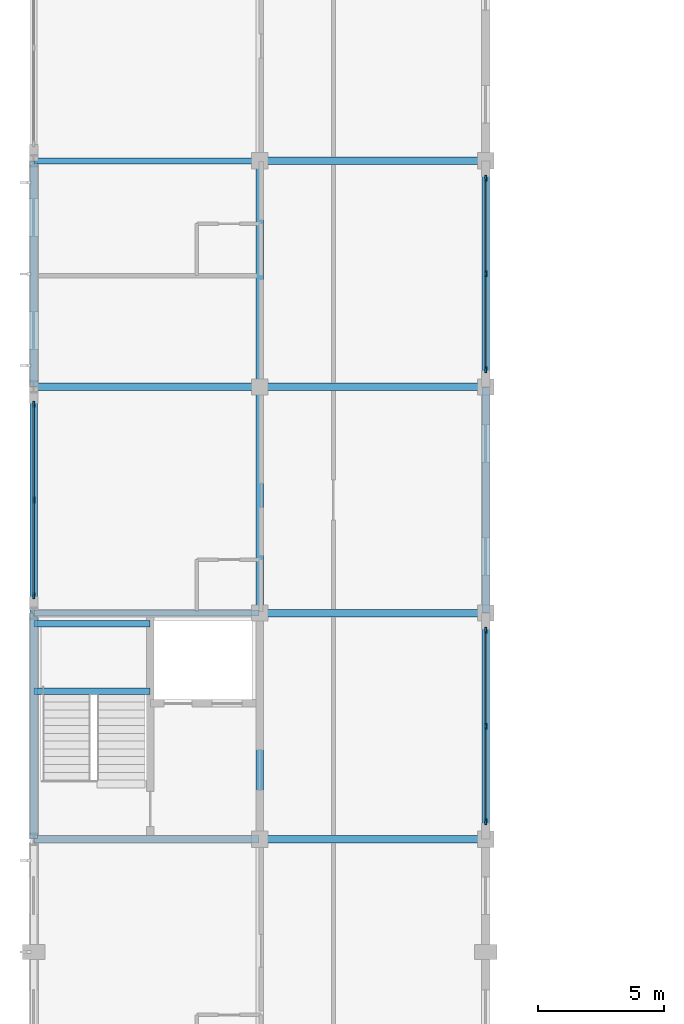
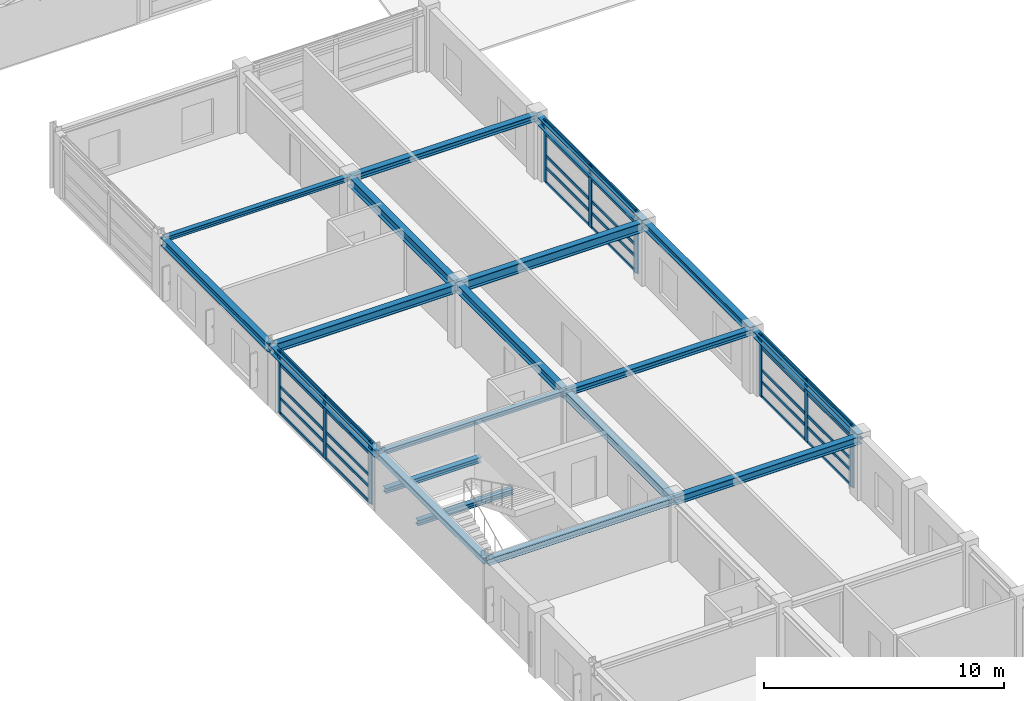
# One storey, part 18 of 91: 39 members, 19 beams, 3 elements without a shape of their own.
"""IFC4 building model written with IfcOpenShell, lengths in metres."""

from ifc_helpers import new_model, si_unit, direction, frame, origin, origin_2d, place, context, subcontext, project, spatial, rectangle, i_section, extrude, material, material_profile, profile_set, type_object, element, aggregate, save


model = new_model("IFC4")

# Units and contexts
model_context = context("Model", 3, precision=1e-05, world=origin(), true_north=direction((0.0, 1.0)))
body_context = subcontext(model_context, "Body", "Model", "MODEL_VIEW")
ifc_project = project(units=[si_unit("LENGTHUNIT", "METRE"), si_unit("AREAUNIT", "SQUARE_METRE"), si_unit("VOLUMEUNIT", "CUBIC_METRE"), si_unit("PLANEANGLEUNIT", "RADIAN"), si_unit("MASSUNIT", "GRAM", prefix="KILO")], contexts=[model_context])

# Site, building, storey
site_placement = place(None, origin())
site = spatial("IfcSite", under=ifc_project, at=site_placement, CompositionType="ELEMENT")
building_placement = place(site_placement, origin())
building = spatial("IfcBuilding", under=site, at=building_placement, Name="Palais des Congres Ocreval", CompositionType="ELEMENT")
storey_placement = place(building_placement, frame((0.0, 0.0, 8.159912109375)))
storey = spatial("IfcBuildingStorey", under=building, at=storey_placement, Name="L02", CompositionType="ELEMENT", Elevation=8.159912109375)

# Curtain wall, members
ifc_material_1 = material(Name="Anodized bronze aluminium and low-E glass", Category="glass")
curtain_wall_type = type_object("IfcCurtainWallType", Name="Unitised Curtain Wall 7900x3120", PredefinedType="USERDEFINED", material=ifc_material_1)
curtain_wall_1_placement = place(storey_placement, origin())
curtain_wall_1 = element("IfcCurtainWall", 1, at=curtain_wall_1_placement, inside=storey, type_object=curtain_wall_type, Name="Unitised Curtain Wall CW03 L02", ObjectType="UNITISED CURTAIN WALL", PredefinedType="USERDEFINED")
ifc_material_2 = material(Name="Anodized bronze aluminium", Category="aluminium")
ifc_material_profile_1 = material_profile(ifc_material_2, rectangle(XDim=0.074951171875, YDim=0.239990234375, at=origin_2d()), Name="ALU 75x240")
ifc_profile_set_1 = profile_set([ifc_material_profile_1], Name="Anodized bronze aluminium")
member_type_1 = type_object("IfcMemberType", Name="Curtain Wall Mullion ALU 75x240", PredefinedType="MULLION", material=ifc_profile_set_1)
member_1_placement = place(storey_placement, frame((0.0, 45.6875, 0.0), z_axis=(0.0, 0.0, 1.0), x_axis=(-1.0, 0.0, 0.0)))
member_1 = element("IfcMember", 2, at=member_1_placement, type_object=member_type_1, Name="Curtain Wall Mullion ML01", PredefinedType="MULLION", context=body_context, shape_type="SweptSolid", body=[
    extrude(rectangle(XDim=0.074951171875, YDim=0.239990234375, at=origin_2d()), origin(), (0.0, 0.0, 1.0), 3.14013671875),
])
member_2_placement = place(storey_placement, frame((0.0, 49.5, 0.0), z_axis=(0.0, 0.0, 1.0), x_axis=(-1.0, 0.0, 0.0)))
member_2 = element("IfcMember", 3, at=member_2_placement, type_object=member_type_1, Name="Curtain Wall Mullion ML01", PredefinedType="MULLION", context=body_context, shape_type="SweptSolid", body=[
    extrude(rectangle(XDim=0.074951171875, YDim=0.239990234375, at=origin_2d()), origin(), (0.0, 0.0, 1.0), 3.14013671875),
])
member_3_placement = place(storey_placement, frame((0.0, 53.3125, 0.0), z_axis=(0.0, 0.0, 1.0), x_axis=(-1.0, 0.0, 0.0)))
member_3 = element("IfcMember", 4, at=member_3_placement, type_object=member_type_1, Name="Curtain Wall Mullion ML01", PredefinedType="MULLION", context=body_context, shape_type="SweptSolid", body=[
    extrude(rectangle(XDim=0.074951171875, YDim=0.239990234375, at=origin_2d()), origin(), (0.0, 0.0, 1.0), 3.14013671875),
])

curtain_wall_2_placement = place(storey_placement, origin())
curtain_wall_2 = element("IfcCurtainWall", 5, at=curtain_wall_2_placement, inside=storey, type_object=curtain_wall_type, Name="Unitised Curtain Wall CW03 L02", ObjectType="UNITISED CURTAIN WALL", PredefinedType="USERDEFINED")
member_4_placement = place(storey_placement, frame((18.0, 62.3125, 0.0), z_axis=(0.0, 0.0, 1.0), x_axis=(1.0, 0.0, 0.0)))
member_4 = element("IfcMember", 6, at=member_4_placement, type_object=member_type_1, Name="Curtain Wall Mullion ML01", PredefinedType="MULLION", context=body_context, shape_type="SweptSolid", body=[
    extrude(rectangle(XDim=0.074951171875, YDim=0.239990234375, at=origin_2d()), origin(), (0.0, 0.0, 1.0), 3.14013671875),
])
member_5_placement = place(storey_placement, frame((18.0, 58.5, 0.0), z_axis=(0.0, 0.0, 1.0), x_axis=(1.0, 0.0, 0.0)))
member_5 = element("IfcMember", 7, at=member_5_placement, type_object=member_type_1, Name="Curtain Wall Mullion ML01", PredefinedType="MULLION", context=body_context, shape_type="SweptSolid", body=[
    extrude(rectangle(XDim=0.074951171875, YDim=0.239990234375, at=origin_2d()), origin(), (0.0, 0.0, 1.0), 3.14013671875),
])
member_6_placement = place(storey_placement, frame((18.0, 54.6875, 0.0), z_axis=(0.0, 0.0, 1.0), x_axis=(1.0, 0.0, 0.0)))
member_6 = element("IfcMember", 8, at=member_6_placement, type_object=member_type_1, Name="Curtain Wall Mullion ML01", PredefinedType="MULLION", context=body_context, shape_type="SweptSolid", body=[
    extrude(rectangle(XDim=0.074951171875, YDim=0.239990234375, at=origin_2d()), origin(), (0.0, 0.0, 1.0), 3.14013671875),
])

curtain_wall_3_placement = place(storey_placement, origin())
curtain_wall_3 = element("IfcCurtainWall", 9, at=curtain_wall_3_placement, inside=storey, type_object=curtain_wall_type, Name="Unitised Curtain Wall CW03 L02", ObjectType="UNITISED CURTAIN WALL", PredefinedType="USERDEFINED")
member_7_placement = place(storey_placement, frame((18.0, 44.3125, 0.0), z_axis=(0.0, 0.0, 1.0), x_axis=(1.0, 0.0, 0.0)))
member_7 = element("IfcMember", 10, at=member_7_placement, type_object=member_type_1, Name="Curtain Wall Mullion ML01", PredefinedType="MULLION", context=body_context, shape_type="SweptSolid", body=[
    extrude(rectangle(XDim=0.074951171875, YDim=0.239990234375, at=origin_2d()), origin(), (0.0, 0.0, 1.0), 3.14013671875),
])
member_8_placement = place(storey_placement, frame((18.0, 40.5, 0.0), z_axis=(0.0, 0.0, 1.0), x_axis=(1.0, 0.0, 0.0)))
member_8 = element("IfcMember", 11, at=member_8_placement, type_object=member_type_1, Name="Curtain Wall Mullion ML01", PredefinedType="MULLION", context=body_context, shape_type="SweptSolid", body=[
    extrude(rectangle(XDim=0.074951171875, YDim=0.239990234375, at=origin_2d()), origin(), (0.0, 0.0, 1.0), 3.14013671875),
])
member_9_placement = place(storey_placement, frame((18.0, 36.6875, 0.0), z_axis=(0.0, 0.0, 1.0), x_axis=(1.0, 0.0, 0.0)))
member_9 = element("IfcMember", 12, at=member_9_placement, type_object=member_type_1, Name="Curtain Wall Mullion ML01", PredefinedType="MULLION", context=body_context, shape_type="SweptSolid", body=[
    extrude(rectangle(XDim=0.074951171875, YDim=0.239990234375, at=origin_2d()), origin(), (0.0, 0.0, 1.0), 3.14013671875),
])

# Member
ifc_material_profile_2 = material_profile(ifc_material_2, rectangle(XDim=0.06005859375, YDim=0.14990234375, at=origin_2d()), Name="ALU 60x150")
ifc_profile_set_2 = profile_set([ifc_material_profile_2], Name="Anodized bronze aluminium")
member_type_2 = type_object("IfcMemberType", Name="Curtain Wall Transom ALU 60x150", PredefinedType="USERDEFINED", material=ifc_profile_set_2)
member_10_placement = place(storey_placement, frame((0.0, 45.72509765625, 0.030029296875), z_axis=(0.0, 1.0, 0.0), x_axis=(-1.0, 0.0, 0.0)))
member_10 = element("IfcMember", 13, at=member_10_placement, type_object=member_type_2, Name="Curtain Wall Transom TR01", ObjectType="TRANSOM", PredefinedType="USERDEFINED", context=body_context, shape_type="SweptSolid", body=[
    extrude(rectangle(XDim=0.06005859375, YDim=0.14990234375, at=origin_2d()), origin(), (0.0, 0.0, 1.0), 3.7373046875),
])

member_11_placement = place(storey_placement, frame((0.0, 45.72509765625, 0.780029296875), z_axis=(0.0, 1.0, 0.0), x_axis=(-1.0, 0.0, 0.0)))
member_11 = element("IfcMember", 14, at=member_11_placement, type_object=member_type_2, Name="Curtain Wall Transom TR01", ObjectType="TRANSOM", PredefinedType="USERDEFINED", context=body_context, shape_type="SweptSolid", body=[
    extrude(rectangle(XDim=0.06005859375, YDim=0.14990234375, at=origin_2d()), origin(), (0.0, 0.0, 1.0), 3.7373046875),
])

member_12_placement = place(storey_placement, frame((0.0, 45.72509765625, 1.36962890625), z_axis=(0.0, 1.0, 0.0), x_axis=(-1.0, 0.0, 0.0)))
member_12 = element("IfcMember", 15, at=member_12_placement, type_object=member_type_2, Name="Curtain Wall Transom TR01", ObjectType="TRANSOM", PredefinedType="USERDEFINED", context=body_context, shape_type="SweptSolid", body=[
    extrude(rectangle(XDim=0.06005859375, YDim=0.14990234375, at=origin_2d()), origin(), (0.0, 0.0, 1.0), 3.7373046875),
])

member_13_placement = place(storey_placement, frame((0.0, 45.72509765625, 2.489990234375), z_axis=(0.0, 1.0, 0.0), x_axis=(-1.0, 0.0, 0.0)))
member_13 = element("IfcMember", 16, at=member_13_placement, type_object=member_type_2, Name="Curtain Wall Transom TR01", ObjectType="TRANSOM", PredefinedType="USERDEFINED", context=body_context, shape_type="SweptSolid", body=[
    extrude(rectangle(XDim=0.06005859375, YDim=0.14990234375, at=origin_2d()), origin(), (0.0, 0.0, 1.0), 3.7373046875),
])

member_14_placement = place(storey_placement, frame((0.0, 45.72509765625, 3.110107421875), z_axis=(0.0, 1.0, 0.0), x_axis=(-1.0, 0.0, 0.0)))
member_14 = element("IfcMember", 17, at=member_14_placement, type_object=member_type_2, Name="Curtain Wall Transom TR01", ObjectType="TRANSOM", PredefinedType="USERDEFINED", context=body_context, shape_type="SweptSolid", body=[
    extrude(rectangle(XDim=0.06005859375, YDim=0.14990234375, at=origin_2d()), origin(), (0.0, 0.0, 1.0), 3.7373046875),
])

member_15_placement = place(storey_placement, frame((0.0, 49.53759765625, 0.030029296875), z_axis=(0.0, 1.0, 0.0), x_axis=(-1.0, 0.0, 0.0)))
member_15 = element("IfcMember", 18, at=member_15_placement, type_object=member_type_2, Name="Curtain Wall Transom TR01", ObjectType="TRANSOM", PredefinedType="USERDEFINED", context=body_context, shape_type="SweptSolid", body=[
    extrude(rectangle(XDim=0.06005859375, YDim=0.14990234375, at=origin_2d()), origin(), (0.0, 0.0, 1.0), 3.7373046875),
])

member_16_placement = place(storey_placement, frame((0.0, 49.53759765625, 0.780029296875), z_axis=(0.0, 1.0, 0.0), x_axis=(-1.0, 0.0, 0.0)))
member_16 = element("IfcMember", 19, at=member_16_placement, type_object=member_type_2, Name="Curtain Wall Transom TR01", ObjectType="TRANSOM", PredefinedType="USERDEFINED", context=body_context, shape_type="SweptSolid", body=[
    extrude(rectangle(XDim=0.06005859375, YDim=0.14990234375, at=origin_2d()), origin(), (0.0, 0.0, 1.0), 3.7373046875),
])

member_17_placement = place(storey_placement, frame((0.0, 49.53759765625, 1.36962890625), z_axis=(0.0, 1.0, 0.0), x_axis=(-1.0, 0.0, 0.0)))
member_17 = element("IfcMember", 20, at=member_17_placement, type_object=member_type_2, Name="Curtain Wall Transom TR01", ObjectType="TRANSOM", PredefinedType="USERDEFINED", context=body_context, shape_type="SweptSolid", body=[
    extrude(rectangle(XDim=0.06005859375, YDim=0.14990234375, at=origin_2d()), origin(), (0.0, 0.0, 1.0), 3.7373046875),
])

member_18_placement = place(storey_placement, frame((0.0, 49.53759765625, 2.489990234375), z_axis=(0.0, 1.0, 0.0), x_axis=(-1.0, 0.0, 0.0)))
member_18 = element("IfcMember", 21, at=member_18_placement, type_object=member_type_2, Name="Curtain Wall Transom TR01", ObjectType="TRANSOM", PredefinedType="USERDEFINED", context=body_context, shape_type="SweptSolid", body=[
    extrude(rectangle(XDim=0.06005859375, YDim=0.14990234375, at=origin_2d()), origin(), (0.0, 0.0, 1.0), 3.7373046875),
])

member_19_placement = place(storey_placement, frame((0.0, 49.53759765625, 3.110107421875), z_axis=(0.0, 1.0, 0.0), x_axis=(-1.0, 0.0, 0.0)))
member_19 = element("IfcMember", 22, at=member_19_placement, type_object=member_type_2, Name="Curtain Wall Transom TR01", ObjectType="TRANSOM", PredefinedType="USERDEFINED", context=body_context, shape_type="SweptSolid", body=[
    extrude(rectangle(XDim=0.06005859375, YDim=0.14990234375, at=origin_2d()), origin(), (0.0, 0.0, 1.0), 3.7373046875),
])

aggregate(curtain_wall_1, [member_1, member_2, member_3, member_10, member_11, member_12, member_13, member_14, member_15, member_16, member_17, member_18, member_19])

member_20_placement = place(storey_placement, frame((18.0, 62.27490234375, 0.030029296875), z_axis=(0.0, -1.0, 0.0), x_axis=(1.0, 0.0, 0.0)))
member_20 = element("IfcMember", 23, at=member_20_placement, type_object=member_type_2, Name="Curtain Wall Transom TR01", ObjectType="TRANSOM", PredefinedType="USERDEFINED", context=body_context, shape_type="SweptSolid", body=[
    extrude(rectangle(XDim=0.06005859375, YDim=0.14990234375, at=origin_2d()), origin(), (0.0, 0.0, 1.0), 3.7373046875),
])

member_21_placement = place(storey_placement, frame((18.0, 62.27490234375, 0.780029296875), z_axis=(0.0, -1.0, 0.0), x_axis=(1.0, 0.0, 0.0)))
member_21 = element("IfcMember", 24, at=member_21_placement, type_object=member_type_2, Name="Curtain Wall Transom TR01", ObjectType="TRANSOM", PredefinedType="USERDEFINED", context=body_context, shape_type="SweptSolid", body=[
    extrude(rectangle(XDim=0.06005859375, YDim=0.14990234375, at=origin_2d()), origin(), (0.0, 0.0, 1.0), 3.7373046875),
])

member_22_placement = place(storey_placement, frame((18.0, 62.27490234375, 1.36962890625), z_axis=(0.0, -1.0, 0.0), x_axis=(1.0, 0.0, 0.0)))
member_22 = element("IfcMember", 25, at=member_22_placement, type_object=member_type_2, Name="Curtain Wall Transom TR01", ObjectType="TRANSOM", PredefinedType="USERDEFINED", context=body_context, shape_type="SweptSolid", body=[
    extrude(rectangle(XDim=0.06005859375, YDim=0.14990234375, at=origin_2d()), origin(), (0.0, 0.0, 1.0), 3.7373046875),
])

member_23_placement = place(storey_placement, frame((18.0, 62.27490234375, 2.489990234375), z_axis=(0.0, -1.0, 0.0), x_axis=(1.0, 0.0, 0.0)))
member_23 = element("IfcMember", 26, at=member_23_placement, type_object=member_type_2, Name="Curtain Wall Transom TR01", ObjectType="TRANSOM", PredefinedType="USERDEFINED", context=body_context, shape_type="SweptSolid", body=[
    extrude(rectangle(XDim=0.06005859375, YDim=0.14990234375, at=origin_2d()), origin(), (0.0, 0.0, 1.0), 3.7373046875),
])

member_24_placement = place(storey_placement, frame((18.0, 62.27490234375, 3.110107421875), z_axis=(0.0, -1.0, 0.0), x_axis=(1.0, 0.0, 0.0)))
member_24 = element("IfcMember", 27, at=member_24_placement, type_object=member_type_2, Name="Curtain Wall Transom TR01", ObjectType="TRANSOM", PredefinedType="USERDEFINED", context=body_context, shape_type="SweptSolid", body=[
    extrude(rectangle(XDim=0.06005859375, YDim=0.14990234375, at=origin_2d()), origin(), (0.0, 0.0, 1.0), 3.7373046875),
])

member_25_placement = place(storey_placement, frame((18.0, 58.46240234375, 0.030029296875), z_axis=(0.0, -1.0, 0.0), x_axis=(1.0, 0.0, 0.0)))
member_25 = element("IfcMember", 28, at=member_25_placement, type_object=member_type_2, Name="Curtain Wall Transom TR01", ObjectType="TRANSOM", PredefinedType="USERDEFINED", context=body_context, shape_type="SweptSolid", body=[
    extrude(rectangle(XDim=0.06005859375, YDim=0.14990234375, at=origin_2d()), origin(), (0.0, 0.0, 1.0), 3.7373046875),
])

member_26_placement = place(storey_placement, frame((18.0, 58.46240234375, 0.780029296875), z_axis=(0.0, -1.0, 0.0), x_axis=(1.0, 0.0, 0.0)))
member_26 = element("IfcMember", 29, at=member_26_placement, type_object=member_type_2, Name="Curtain Wall Transom TR01", ObjectType="TRANSOM", PredefinedType="USERDEFINED", context=body_context, shape_type="SweptSolid", body=[
    extrude(rectangle(XDim=0.06005859375, YDim=0.14990234375, at=origin_2d()), origin(), (0.0, 0.0, 1.0), 3.7373046875),
])

member_27_placement = place(storey_placement, frame((18.0, 58.46240234375, 1.36962890625), z_axis=(0.0, -1.0, 0.0), x_axis=(1.0, 0.0, 0.0)))
member_27 = element("IfcMember", 30, at=member_27_placement, type_object=member_type_2, Name="Curtain Wall Transom TR01", ObjectType="TRANSOM", PredefinedType="USERDEFINED", context=body_context, shape_type="SweptSolid", body=[
    extrude(rectangle(XDim=0.06005859375, YDim=0.14990234375, at=origin_2d()), origin(), (0.0, 0.0, 1.0), 3.7373046875),
])

member_28_placement = place(storey_placement, frame((18.0, 58.46240234375, 2.489990234375), z_axis=(0.0, -1.0, 0.0), x_axis=(1.0, 0.0, 0.0)))
member_28 = element("IfcMember", 31, at=member_28_placement, type_object=member_type_2, Name="Curtain Wall Transom TR01", ObjectType="TRANSOM", PredefinedType="USERDEFINED", context=body_context, shape_type="SweptSolid", body=[
    extrude(rectangle(XDim=0.06005859375, YDim=0.14990234375, at=origin_2d()), origin(), (0.0, 0.0, 1.0), 3.7373046875),
])

member_29_placement = place(storey_placement, frame((18.0, 58.46240234375, 3.110107421875), z_axis=(0.0, -1.0, 0.0), x_axis=(1.0, 0.0, 0.0)))
member_29 = element("IfcMember", 32, at=member_29_placement, type_object=member_type_2, Name="Curtain Wall Transom TR01", ObjectType="TRANSOM", PredefinedType="USERDEFINED", context=body_context, shape_type="SweptSolid", body=[
    extrude(rectangle(XDim=0.06005859375, YDim=0.14990234375, at=origin_2d()), origin(), (0.0, 0.0, 1.0), 3.7373046875),
])

aggregate(curtain_wall_2, [member_4, member_5, member_6, member_20, member_21, member_22, member_23, member_24, member_25, member_26, member_27, member_28, member_29])

member_30_placement = place(storey_placement, frame((18.0, 44.27490234375, 0.030029296875), z_axis=(0.0, -1.0, 0.0), x_axis=(1.0, 0.0, 0.0)))
member_30 = element("IfcMember", 33, at=member_30_placement, type_object=member_type_2, Name="Curtain Wall Transom TR01", ObjectType="TRANSOM", PredefinedType="USERDEFINED", context=body_context, shape_type="SweptSolid", body=[
    extrude(rectangle(XDim=0.06005859375, YDim=0.14990234375, at=origin_2d()), origin(), (0.0, 0.0, 1.0), 3.7373046875),
])

member_31_placement = place(storey_placement, frame((18.0, 44.27490234375, 0.780029296875), z_axis=(0.0, -1.0, 0.0), x_axis=(1.0, 0.0, 0.0)))
member_31 = element("IfcMember", 34, at=member_31_placement, type_object=member_type_2, Name="Curtain Wall Transom TR01", ObjectType="TRANSOM", PredefinedType="USERDEFINED", context=body_context, shape_type="SweptSolid", body=[
    extrude(rectangle(XDim=0.06005859375, YDim=0.14990234375, at=origin_2d()), origin(), (0.0, 0.0, 1.0), 3.7373046875),
])

member_32_placement = place(storey_placement, frame((18.0, 44.27490234375, 1.36962890625), z_axis=(0.0, -1.0, 0.0), x_axis=(1.0, 0.0, 0.0)))
member_32 = element("IfcMember", 35, at=member_32_placement, type_object=member_type_2, Name="Curtain Wall Transom TR01", ObjectType="TRANSOM", PredefinedType="USERDEFINED", context=body_context, shape_type="SweptSolid", body=[
    extrude(rectangle(XDim=0.06005859375, YDim=0.14990234375, at=origin_2d()), origin(), (0.0, 0.0, 1.0), 3.7373046875),
])

member_33_placement = place(storey_placement, frame((18.0, 44.27490234375, 2.489990234375), z_axis=(0.0, -1.0, 0.0), x_axis=(1.0, 0.0, 0.0)))
member_33 = element("IfcMember", 36, at=member_33_placement, type_object=member_type_2, Name="Curtain Wall Transom TR01", ObjectType="TRANSOM", PredefinedType="USERDEFINED", context=body_context, shape_type="SweptSolid", body=[
    extrude(rectangle(XDim=0.06005859375, YDim=0.14990234375, at=origin_2d()), origin(), (0.0, 0.0, 1.0), 3.7373046875),
])

member_34_placement = place(storey_placement, frame((18.0, 44.27490234375, 3.110107421875), z_axis=(0.0, -1.0, 0.0), x_axis=(1.0, 0.0, 0.0)))
member_34 = element("IfcMember", 37, at=member_34_placement, type_object=member_type_2, Name="Curtain Wall Transom TR01", ObjectType="TRANSOM", PredefinedType="USERDEFINED", context=body_context, shape_type="SweptSolid", body=[
    extrude(rectangle(XDim=0.06005859375, YDim=0.14990234375, at=origin_2d()), origin(), (0.0, 0.0, 1.0), 3.7373046875),
])

member_35_placement = place(storey_placement, frame((18.0, 40.46240234375, 0.030029296875), z_axis=(0.0, -1.0, 0.0), x_axis=(1.0, 0.0, 0.0)))
member_35 = element("IfcMember", 38, at=member_35_placement, type_object=member_type_2, Name="Curtain Wall Transom TR01", ObjectType="TRANSOM", PredefinedType="USERDEFINED", context=body_context, shape_type="SweptSolid", body=[
    extrude(rectangle(XDim=0.06005859375, YDim=0.14990234375, at=origin_2d()), origin(), (0.0, 0.0, 1.0), 3.7373046875),
])

member_36_placement = place(storey_placement, frame((18.0, 40.46240234375, 0.780029296875), z_axis=(0.0, -1.0, 0.0), x_axis=(1.0, 0.0, 0.0)))
member_36 = element("IfcMember", 39, at=member_36_placement, type_object=member_type_2, Name="Curtain Wall Transom TR01", ObjectType="TRANSOM", PredefinedType="USERDEFINED", context=body_context, shape_type="SweptSolid", body=[
    extrude(rectangle(XDim=0.06005859375, YDim=0.14990234375, at=origin_2d()), origin(), (0.0, 0.0, 1.0), 3.7373046875),
])

member_37_placement = place(storey_placement, frame((18.0, 40.46240234375, 1.36962890625), z_axis=(0.0, -1.0, 0.0), x_axis=(1.0, 0.0, 0.0)))
member_37 = element("IfcMember", 40, at=member_37_placement, type_object=member_type_2, Name="Curtain Wall Transom TR01", ObjectType="TRANSOM", PredefinedType="USERDEFINED", context=body_context, shape_type="SweptSolid", body=[
    extrude(rectangle(XDim=0.06005859375, YDim=0.14990234375, at=origin_2d()), origin(), (0.0, 0.0, 1.0), 3.7373046875),
])

member_38_placement = place(storey_placement, frame((18.0, 40.46240234375, 2.489990234375), z_axis=(0.0, -1.0, 0.0), x_axis=(1.0, 0.0, 0.0)))
member_38 = element("IfcMember", 41, at=member_38_placement, type_object=member_type_2, Name="Curtain Wall Transom TR01", ObjectType="TRANSOM", PredefinedType="USERDEFINED", context=body_context, shape_type="SweptSolid", body=[
    extrude(rectangle(XDim=0.06005859375, YDim=0.14990234375, at=origin_2d()), origin(), (0.0, 0.0, 1.0), 3.7373046875),
])

member_39_placement = place(storey_placement, frame((18.0, 40.46240234375, 3.110107421875), z_axis=(0.0, -1.0, 0.0), x_axis=(1.0, 0.0, 0.0)))
member_39 = element("IfcMember", 42, at=member_39_placement, type_object=member_type_2, Name="Curtain Wall Transom TR01", ObjectType="TRANSOM", PredefinedType="USERDEFINED", context=body_context, shape_type="SweptSolid", body=[
    extrude(rectangle(XDim=0.06005859375, YDim=0.14990234375, at=origin_2d()), origin(), (0.0, 0.0, 1.0), 3.7373046875),
])

aggregate(curtain_wall_3, [member_7, member_8, member_9, member_30, member_31, member_32, member_33, member_34, member_35, member_36, member_37, member_38, member_39])

# Beams
ifc_material_3 = material(Name="Steel S355", Category="steel")
ifc_material_profile_3 = material_profile(ifc_material_3, i_section(OverallWidth=0.260009765625, OverallDepth=0.260009765625, WebThickness=0.010009765625, FlangeThickness=0.017578125, at=origin_2d()), Name="HEB 260")
ifc_profile_set_3 = profile_set([ifc_material_profile_3], Name="Steel S355")
beam_type_1 = type_object("IfcBeamType", Name="Opening Lintel HEB 260 Steel S355", PredefinedType="LINTEL", material=ifc_profile_set_3)
for number, where, z_axis, x_axis, name in (
    (43, (0.02001953125, 41.8798828125, 1.35009765625), (1.0, 0.0, 0.0), (0.0, 1.0, 0.0), "Stair Landing Support Beam ST03 L02-1"),
    (44, (0.02001953125, 44.580078125, 1.35009765625), (1.0, 0.0, 0.0), (0.0, 1.0, 0.0), "Stair Landing Support Beam ST03 L02-2"),
):
    element("IfcBeam", number, at=place(storey_placement, frame(where, z_axis=z_axis, x_axis=x_axis)), inside=storey, type_object=beam_type_1, Name=name, PredefinedType="LINTEL", context=body_context, shape_type="SweptSolid", body=[
        extrude(i_section(OverallWidth=0.260009765625, OverallDepth=0.260009765625, WebThickness=0.010009765625, FlangeThickness=0.017578125, at=origin_2d()), origin(), (0.0, 0.0, 1.0), 4.60986328125),
    ])
ifc_material_profile_4 = material_profile(ifc_material_3, i_section(OverallWidth=0.239990234375, OverallDepth=0.22998046875, WebThickness=0.007568359375, FlangeThickness=0.011962890625, at=origin_2d()), Name="HEA 240")
ifc_profile_set_4 = profile_set([ifc_material_profile_4], Name="Steel S355")
beam_type_2 = type_object("IfcBeamType", Name="Perimeter Spandrel HEA 240 Steel S355", PredefinedType="SPANDREL", material=ifc_profile_set_4)
for number, where, z_axis, x_axis, name in (
    (45, (0.02001953125, 45.0, 2.985107421875), (1.0, 0.0, 0.0), (0.0, 1.0, 0.0), "Beam SP01 L02"),
    (46, (0.02001953125, 63.0, 2.985107421875), (1.0, 0.0, 0.0), (0.0, 1.0, 0.0), "Beam SP01 L02"),
):
    element("IfcBeam", number, at=place(storey_placement, frame(where, z_axis=z_axis, x_axis=x_axis)), inside=storey, type_object=beam_type_2, Name=name, PredefinedType="SPANDREL", context=body_context, shape_type="SweptSolid", body=[
        extrude(i_section(OverallWidth=0.239990234375, OverallDepth=0.22998046875, WebThickness=0.007568359375, FlangeThickness=0.011962890625, at=origin_2d()), origin(), (0.0, 0.0, 1.0), 8.9599609375),
    ])
ifc_material_profile_5 = material_profile(ifc_material_3, i_section(OverallWidth=0.300048828125, OverallDepth=0.300048828125, WebThickness=0.010986328125, FlangeThickness=0.01904296875, at=origin_2d()), Name="HEB 300")
ifc_profile_set_5 = profile_set([ifc_material_profile_5], Name="Steel S355")
beam_type_3 = type_object("IfcBeamType", Name="Perimeter Spandrel HEB 300 Steel S355", PredefinedType="SPANDREL", material=ifc_profile_set_5)
for number, where, z_axis, x_axis, name in (
    (47, (0.0, 36.02001953125, 2.9501953125), (0.0, 1.0, 0.0), (-1.0, 0.0, 0.0), "Girder SP02 L02"),
    (48, (9.02001953125, 45.0, 2.9501953125), (1.0, 0.0, 0.0), (0.0, 1.0, 0.0), "Beam SP02 L02"),
    (49, (9.02001953125, 63.0, 2.9501953125), (1.0, 0.0, 0.0), (0.0, 1.0, 0.0), "Beam SP02 L02"),
    (50, (18.0, 36.02001953125, 2.9501953125), (0.0, 1.0, 0.0), (-1.0, 0.0, 0.0), "Girder SP02 L02"),
):
    element("IfcBeam", number, at=place(storey_placement, frame(where, z_axis=z_axis, x_axis=x_axis)), inside=storey, type_object=beam_type_3, Name=name, PredefinedType="SPANDREL", context=body_context, shape_type="SweptSolid", body=[
        extrude(i_section(OverallWidth=0.300048828125, OverallDepth=0.300048828125, WebThickness=0.010986328125, FlangeThickness=0.01904296875, at=origin_2d()), origin(), (0.0, 0.0, 1.0), 8.9599609375),
    ])
ifc_material_profile_6 = material_profile(ifc_material_3, i_section(OverallWidth=0.300048828125, OverallDepth=0.360107421875, WebThickness=0.012451171875, FlangeThickness=0.0224609375, at=origin_2d()), Name="HEB 360")
ifc_profile_set_6 = profile_set([ifc_material_profile_6], Name="Steel S355")
beam_type_4 = type_object("IfcBeamType", Name="Perimeter Spandrel HEB 360 Steel S355", PredefinedType="SPANDREL", material=ifc_profile_set_6)
for number, where, z_axis, x_axis, name in (
    (51, (0.0, 45.02001953125, 2.920166015625), (0.0, 1.0, 0.0), (-1.0, 0.0, 0.0), "Girder SP03 L02"),
    (52, (18.0, 45.02001953125, 2.920166015625), (0.0, 1.0, 0.0), (-1.0, 0.0, 0.0), "Girder SP03 L02"),
):
    element("IfcBeam", number, at=place(storey_placement, frame(where, z_axis=z_axis, x_axis=x_axis)), inside=storey, type_object=beam_type_4, Name=name, PredefinedType="SPANDREL", context=body_context, shape_type="SweptSolid", body=[
        extrude(i_section(OverallWidth=0.300048828125, OverallDepth=0.360107421875, WebThickness=0.012451171875, FlangeThickness=0.0224609375, at=origin_2d()), origin(), (0.0, 0.0, 1.0), 8.9599609375),
    ])
ifc_material_profile_7 = material_profile(ifc_material_3, i_section(OverallWidth=0.300048828125, OverallDepth=0.39990234375, WebThickness=0.013427734375, FlangeThickness=0.02392578125, at=origin_2d()), Name="HEB 400")
ifc_profile_set_7 = profile_set([ifc_material_profile_7], Name="Steel S355")
beam_type_5 = type_object("IfcBeamType", Name="Perimeter Spandrel HEB 400 Steel S355", PredefinedType="SPANDREL", material=ifc_profile_set_7)
for number, where, z_axis, x_axis, name in (
    (53, (0.0, 54.02001953125, 2.900146484375), (0.0, 1.0, 0.0), (-1.0, 0.0, 0.0), "Girder SP04 L02"),
    (54, (18.0, 54.02001953125, 2.900146484375), (0.0, 1.0, 0.0), (-1.0, 0.0, 0.0), "Girder SP04 L02"),
):
    element("IfcBeam", number, at=place(storey_placement, frame(where, z_axis=z_axis, x_axis=x_axis)), inside=storey, type_object=beam_type_5, Name=name, PredefinedType="SPANDREL", context=body_context, shape_type="SweptSolid", body=[
        extrude(i_section(OverallWidth=0.300048828125, OverallDepth=0.39990234375, WebThickness=0.013427734375, FlangeThickness=0.02392578125, at=origin_2d()), origin(), (0.0, 0.0, 1.0), 8.9599609375),
    ])
ifc_material_profile_8 = material_profile(ifc_material_3, i_section(OverallWidth=0.300048828125, OverallDepth=0.330078125, WebThickness=0.009521484375, FlangeThickness=0.0166015625, at=origin_2d()), Name="HEA 340")
ifc_profile_set_8 = profile_set([ifc_material_profile_8], Name="Steel S355")
beam_type_6 = type_object("IfcBeamType", Name="Primary Beam HEA 340 Steel S355", PredefinedType="BEAM", material=ifc_profile_set_8)
beam_placement = place(storey_placement, frame((0.02001953125, 36.0, 2.93505859375), z_axis=(1.0, 0.0, 0.0), x_axis=(0.0, 1.0, 0.0)))
element("IfcBeam", 55, at=beam_placement, inside=storey, type_object=beam_type_6, Name="Beam B09 L02", PredefinedType="BEAM", context=body_context, shape_type="SweptSolid", body=[
    extrude(i_section(OverallWidth=0.300048828125, OverallDepth=0.330078125, WebThickness=0.009521484375, FlangeThickness=0.0166015625, at=origin_2d()), origin(), (0.0, 0.0, 1.0), 8.9599609375),
])
ifc_material_profile_9 = material_profile(ifc_material_3, i_section(OverallWidth=0.300048828125, OverallDepth=0.389892578125, WebThickness=0.010986328125, FlangeThickness=0.01904296875, at=origin_2d()), Name="HEA 400")
ifc_profile_set_9 = profile_set([ifc_material_profile_9], Name="Steel S355")
beam_type_7 = type_object("IfcBeamType", Name="Primary Beam HEA 400 Steel S355", PredefinedType="BEAM", material=ifc_profile_set_9)
for number, where, z_axis, x_axis, name in (
    (56, (9.02001953125, 36.0, 2.905029296875), (1.0, 0.0, 0.0), (0.0, 1.0, 0.0), "Beam B10 L02"),
    (57, (9.0, 36.02001953125, 2.905029296875), (0.0, 1.0, 0.0), (-1.0, 0.0, 0.0), "Girder B10 L02"),
):
    element("IfcBeam", number, at=place(storey_placement, frame(where, z_axis=z_axis, x_axis=x_axis)), inside=storey, type_object=beam_type_7, Name=name, PredefinedType="BEAM", context=body_context, shape_type="SweptSolid", body=[
        extrude(i_section(OverallWidth=0.300048828125, OverallDepth=0.389892578125, WebThickness=0.010986328125, FlangeThickness=0.01904296875, at=origin_2d()), origin(), (0.0, 0.0, 1.0), 8.9599609375),
    ])
ifc_material_profile_10 = material_profile(ifc_material_3, i_section(OverallWidth=0.300048828125, OverallDepth=0.43994140625, WebThickness=0.011474609375, FlangeThickness=0.02099609375, at=origin_2d()), Name="HEA 450")
ifc_profile_set_10 = profile_set([ifc_material_profile_10], Name="Steel S355")
beam_type_8 = type_object("IfcBeamType", Name="Primary Beam HEA 450 Steel S355", PredefinedType="BEAM", material=ifc_profile_set_10)
for number, where, z_axis, x_axis, name in (
    (58, (0.02001953125, 54.0, 2.880126953125), (1.0, 0.0, 0.0), (0.0, 1.0, 0.0), "Beam B11 L02"),
    (59, (9.0, 45.02001953125, 2.880126953125), (0.0, 1.0, 0.0), (-1.0, 0.0, 0.0), "Girder B11 L02"),
):
    element("IfcBeam", number, at=place(storey_placement, frame(where, z_axis=z_axis, x_axis=x_axis)), inside=storey, type_object=beam_type_8, Name=name, PredefinedType="BEAM", context=body_context, shape_type="SweptSolid", body=[
        extrude(i_section(OverallWidth=0.300048828125, OverallDepth=0.43994140625, WebThickness=0.011474609375, FlangeThickness=0.02099609375, at=origin_2d()), origin(), (0.0, 0.0, 1.0), 8.9599609375),
    ])
ifc_material_profile_11 = material_profile(ifc_material_3, i_section(OverallWidth=0.300048828125, OverallDepth=0.489990234375, WebThickness=0.011962890625, FlangeThickness=0.02294921875, at=origin_2d()), Name="HEA 500")
ifc_profile_set_11 = profile_set([ifc_material_profile_11], Name="Steel S355")
beam_type_9 = type_object("IfcBeamType", Name="Primary Beam HEA 500 Steel S355", PredefinedType="BEAM", material=ifc_profile_set_11)
for number, where, z_axis, x_axis, name in (
    (60, (9.02001953125, 54.0, 2.85498046875), (1.0, 0.0, 0.0), (0.0, 1.0, 0.0), "Beam B12 L02"),
    (61, (9.0, 54.02001953125, 2.85498046875), (0.0, 1.0, 0.0), (-1.0, 0.0, 0.0), "Girder B12 L02"),
):
    element("IfcBeam", number, at=place(storey_placement, frame(where, z_axis=z_axis, x_axis=x_axis)), inside=storey, type_object=beam_type_9, Name=name, PredefinedType="BEAM", context=body_context, shape_type="SweptSolid", body=[
        extrude(i_section(OverallWidth=0.300048828125, OverallDepth=0.489990234375, WebThickness=0.011962890625, FlangeThickness=0.02294921875, at=origin_2d()), origin(), (0.0, 0.0, 1.0), 8.9599609375),
    ])

save(model, "model.ifc")
